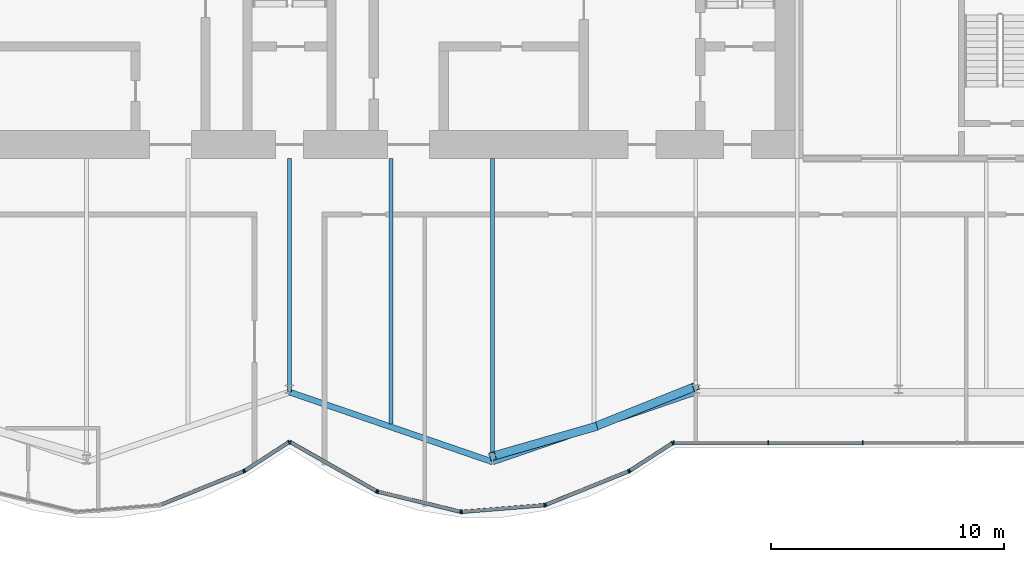
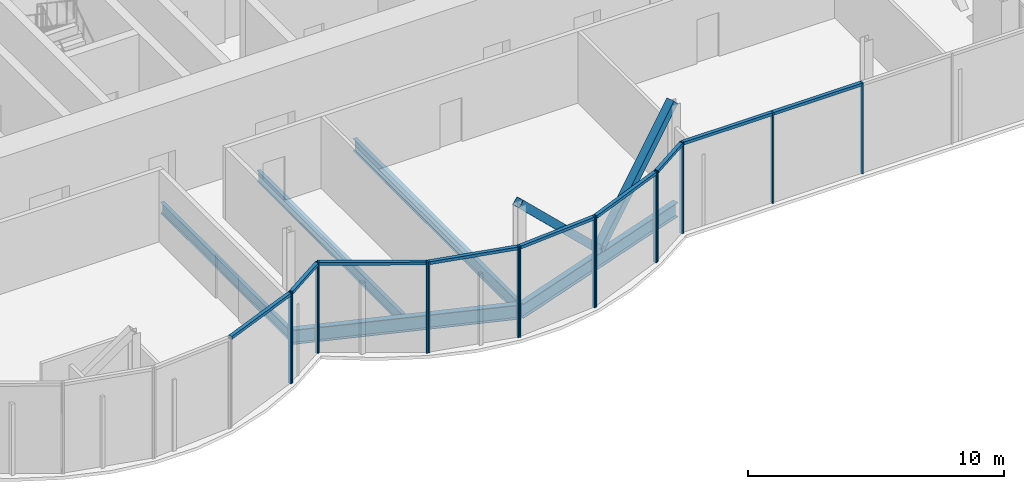
# One storey, part 6 of 16: 27 members, 5 beams, 3 elements without a shape of their own.
"""IFC4 building model written with IfcOpenShell, lengths in metres."""

from ifc_helpers import new_model, si_unit, direction, frame, origin, origin_2d, place, context, subcontext, project, spatial, rectangle, hollow_rectangle, i_section, extrude, material, material_profile, profile_set, type_object, element, aggregate, save


model = new_model("IFC4")

# Units and contexts
model_context = context("Model", 3, precision=1e-05, world=origin(), true_north=direction((0.0, 1.0)))
body_context = subcontext(model_context, "Body", "Model", "MODEL_VIEW")
ifc_project = project(units=[si_unit("LENGTHUNIT", "METRE"), si_unit("AREAUNIT", "SQUARE_METRE"), si_unit("VOLUMEUNIT", "CUBIC_METRE"), si_unit("PLANEANGLEUNIT", "RADIAN"), si_unit("MASSUNIT", "GRAM", prefix="KILO")], contexts=[model_context])

# Site, building, storey
site_placement = place(None, origin())
site = spatial("IfcSite", under=ifc_project, at=site_placement, CompositionType="ELEMENT")
building_placement = place(site_placement, origin())
building = spatial("IfcBuilding", under=site, at=building_placement, Name="Bicima Exchange Tower", CompositionType="ELEMENT")
storey_placement = place(building_placement, frame((0.0, 0.0, 329.0)))
storey = spatial("IfcBuildingStorey", under=building, at=storey_placement, Name="L74", CompositionType="ELEMENT", Elevation=329.0)

# Beams
ifc_material_1 = material(Name="Steel ASTM A992 Gr 50", Category="steel")
ifc_material_profile_1 = material_profile(ifc_material_1, i_section(OverallWidth=0.165771484375, OverallDepth=0.5283203125, WebThickness=0.009765625, FlangeThickness=0.013671875, at=origin_2d()))
ifc_profile_set_1 = profile_set([ifc_material_profile_1], Name="Steel ASTM A992 Gr 50")
beam_type_1 = type_object("IfcBeamType", Name="Floor beam W21x50", PredefinedType="JOIST", material=ifc_profile_set_1)
beam_1_placement = place(storey_placement, frame((0.0, -13.0, -0.414306640625), z_axis=(0.0, -1.0, 0.0), x_axis=(1.0, 0.0, 0.0)))
element("IfcBeam", 1, at=beam_1_placement, inside=storey, type_object=beam_type_1, Name="Floor beam", PredefinedType="JOIST", context=body_context, shape_type="SweptSolid", body=[
    extrude(i_section(OverallWidth=0.165771484375, OverallDepth=0.5283203125, WebThickness=0.009765625, FlangeThickness=0.013671875, at=origin_2d()), origin(), (0.0, 0.0, 1.0), 10.008056640625),
])
beam_2_placement = place(storey_placement, frame((4.35009765625, -13.0, -0.414306640625), z_axis=(0.0, -1.0, 0.0), x_axis=(1.0, 0.0, 0.0)))
element("IfcBeam", 2, at=beam_2_placement, inside=storey, type_object=beam_type_1, Name="Floor beam", PredefinedType="JOIST", context=body_context, shape_type="SweptSolid", body=[
    extrude(i_section(OverallWidth=0.165771484375, OverallDepth=0.5283203125, WebThickness=0.009765625, FlangeThickness=0.013671875, at=origin_2d()), origin(), (0.0, 0.0, 1.0), 11.367919921875),
])
ifc_material_profile_2 = material_profile(ifc_material_1, i_section(OverallWidth=0.177978515625, OverallDepth=0.599365234375, WebThickness=0.010009765625, FlangeThickness=0.012939453125, at=origin_2d()))
ifc_profile_set_2 = profile_set([ifc_material_profile_2], Name="Steel ASTM A992 Gr 50")
beam_type_2 = type_object("IfcBeamType", Name="Floor beam W24x55", PredefinedType="JOIST", material=ifc_profile_set_2)
beam_3_placement = place(storey_placement, frame((8.699951171875, -13.0, -0.44970703125), z_axis=(0.0, -1.0, 0.0), x_axis=(1.0, 0.0, 0.0)))
element("IfcBeam", 3, at=beam_3_placement, inside=storey, type_object=beam_type_2, Name="Floor beam", PredefinedType="JOIST", context=body_context, shape_type="SweptSolid", body=[
    extrude(i_section(OverallWidth=0.177978515625, OverallDepth=0.599365234375, WebThickness=0.010009765625, FlangeThickness=0.012939453125, at=origin_2d()), origin(), (0.0, 0.0, 1.0), 12.86328125),
])
ifc_material_profile_3 = material_profile(ifc_material_1, i_section(OverallWidth=0.256591796875, OverallDepth=0.693359375, WebThickness=0.014404296875, FlangeThickness=0.023681640625, at=origin_2d()))
ifc_profile_set_3 = profile_set([ifc_material_profile_3], Name="Steel ASTM A992 Gr 50")
beam_type_3 = type_object("IfcBeamType", Name="Front girder W27x114", PredefinedType="BEAM", material=ifc_profile_set_3)
for number, where, z_axis, x_axis, name in (
    (4, (0.0, -23.008056640625, -0.49658203125), (0.945674616091, -0.32511462668, 0.0), (0.32511462668, 0.945674616091, 0.0), "Front girder"),
    (5, (8.699951171875, -25.9990234375, -0.49658203125), (0.945674616091, 0.32511462668, 0.0), (-0.32511462668, 0.945674616091, 0.0), "Front girder"),
):
    element("IfcBeam", number, at=place(storey_placement, frame(where, z_axis=z_axis, x_axis=x_axis)), inside=storey, type_object=beam_type_3, Name=name, PredefinedType="BEAM", context=body_context, shape_type="SweptSolid", body=[
        extrude(i_section(OverallWidth=0.256591796875, OverallDepth=0.693359375, WebThickness=0.014404296875, FlangeThickness=0.023681640625, at=origin_2d()), origin(), (0.0, 0.0, 1.0), 9.19970703125),
    ])

# Curtain wall, members
ifc_material_2 = material(Name="Anodised bronze aluminium", Category="aluminium")
curtain_wall_type = type_object("IfcCurtainWallType", Name="Front glass wall", PredefinedType="NOTDEFINED", material=ifc_material_2)
curtain_wall_1_placement = place(storey_placement, origin())
curtain_wall_1 = element("IfcCurtainWall", 6, at=curtain_wall_1_placement, inside=storey, type_object=curtain_wall_type, Name="Front glass wall L74 run 6", PredefinedType="NOTDEFINED")
ifc_material_profile_4 = material_profile(ifc_material_2, rectangle(XDim=0.159912109375, YDim=0.06005859375, at=origin_2d()))
ifc_profile_set_4 = profile_set([ifc_material_profile_4], Name="Anodised bronze aluminium")
member_type_1 = type_object("IfcMemberType", Name="Front glass wall mullion 60 x 160", PredefinedType="MULLION", material=ifc_profile_set_4)
member_1_placement = place(storey_placement, frame((-1.97412109375, -26.403564453125, 0.0), z_axis=(0.0, 0.0, 1.0), x_axis=(-0.374705304, 0.92714396679, 0.0)))
member_1 = element("IfcMember", 7, at=member_1_placement, type_object=member_type_1, Name="Front glass wall mullion 2", PredefinedType="MULLION", context=body_context, shape_type="SweptSolid", body=[
    extrude(rectangle(XDim=0.159912109375, YDim=0.06005859375, at=origin_2d()), origin(), (0.0, 0.0, 1.0), 4.35009765625),
])
member_2_placement = place(storey_placement, frame((-1.921142578125, -26.376220703125, 0.0), z_axis=(0.0, 0.0, 1.0), x_axis=(-0.542897457326, 0.839798994301, 0.0)))
member_2 = element("IfcMember", 8, at=member_2_placement, type_object=member_type_1, Name="Front glass wall mullion 1", PredefinedType="MULLION", context=body_context, shape_type="SweptSolid", body=[
    extrude(rectangle(XDim=0.159912109375, YDim=0.06005859375, at=origin_2d()), origin(), (0.0, 0.0, 1.0), 4.35009765625),
])
member_3_placement = place(storey_placement, frame((-0.025146484375, -25.150390625, 0.0), z_axis=(0.0, 0.0, 1.0), x_axis=(-0.542897457326, 0.839798994301, 0.0)))
member_3 = element("IfcMember", 9, at=member_3_placement, type_object=member_type_1, Name="Front glass wall mullion 2", PredefinedType="MULLION", context=body_context, shape_type="SweptSolid", body=[
    extrude(rectangle(XDim=0.159912109375, YDim=0.06005859375, at=origin_2d()), origin(), (0.0, 0.0, 1.0), 4.35009765625),
])

curtain_wall_2_placement = place(storey_placement, origin())
curtain_wall_2 = element("IfcCurtainWall", 10, at=curtain_wall_2_placement, inside=storey, type_object=curtain_wall_type, Name="Front glass wall L74 run 11", PredefinedType="NOTDEFINED")
member_4_placement = place(storey_placement, frame((0.026123046875, -25.14892578125, 0.0), z_axis=(0.0, 0.0, 1.0), x_axis=(0.494330311331, 0.869274147378, 0.0)))
member_4 = element("IfcMember", 11, at=member_4_placement, type_object=member_type_1, Name="Front glass wall mullion 1", PredefinedType="MULLION", context=body_context, shape_type="SweptSolid", body=[
    extrude(rectangle(XDim=0.159912109375, YDim=0.06005859375, at=origin_2d()), origin(), (0.0, 0.0, 1.0), 4.35009765625),
])
member_5_placement = place(storey_placement, frame((3.7265625, -27.25341796875, 0.0), z_axis=(0.0, 0.0, 1.0), x_axis=(0.494330311331, 0.869274147378, 0.0)))
member_5 = element("IfcMember", 12, at=member_5_placement, type_object=member_type_1, Name="Front glass wall mullion 2", PredefinedType="MULLION", context=body_context, shape_type="SweptSolid", body=[
    extrude(rectangle(XDim=0.159912109375, YDim=0.06005859375, at=origin_2d()), origin(), (0.0, 0.0, 1.0), 4.35009765625),
])
member_6_placement = place(storey_placement, frame((3.781982421875, -27.275390625, 0.0), z_axis=(0.0, 0.0, 1.0), x_axis=(0.235681529503, 0.971830343553, 0.0)))
member_6 = element("IfcMember", 13, at=member_6_placement, type_object=member_type_1, Name="Front glass wall mullion 1", PredefinedType="MULLION", context=body_context, shape_type="SweptSolid", body=[
    extrude(rectangle(XDim=0.159912109375, YDim=0.06005859375, at=origin_2d()), origin(), (0.0, 0.0, 1.0), 4.35009765625),
])
member_7_placement = place(storey_placement, frame((7.322509765625, -28.1337890625, 0.0), z_axis=(0.0, 0.0, 1.0), x_axis=(0.235681529503, 0.971830343553, 0.0)))
member_7 = element("IfcMember", 14, at=member_7_placement, type_object=member_type_1, Name="Front glass wall mullion 2", PredefinedType="MULLION", context=body_context, shape_type="SweptSolid", body=[
    extrude(rectangle(XDim=0.159912109375, YDim=0.06005859375, at=origin_2d()), origin(), (0.0, 0.0, 1.0), 4.35009765625),
])
member_8_placement = place(storey_placement, frame((7.381591796875, -28.138671875, 0.0), z_axis=(0.0, 0.0, 1.0), x_axis=(-0.080588612633, 0.99674744821, 0.0)))
member_8 = element("IfcMember", 15, at=member_8_placement, type_object=member_type_1, Name="Front glass wall mullion 1", PredefinedType="MULLION", context=body_context, shape_type="SweptSolid", body=[
    extrude(rectangle(XDim=0.159912109375, YDim=0.06005859375, at=origin_2d()), origin(), (0.0, 0.0, 1.0), 4.35009765625),
])
member_9_placement = place(storey_placement, frame((10.916015625, -27.852783203125, 0.0), z_axis=(0.0, 0.0, 1.0), x_axis=(-0.080588612633, 0.99674744821, 0.0)))
member_9 = element("IfcMember", 16, at=member_9_placement, type_object=member_type_1, Name="Front glass wall mullion 2", PredefinedType="MULLION", context=body_context, shape_type="SweptSolid", body=[
    extrude(rectangle(XDim=0.159912109375, YDim=0.06005859375, at=origin_2d()), origin(), (0.0, 0.0, 1.0), 4.35009765625),
])
member_10_placement = place(storey_placement, frame((10.973876953125, -27.839111328125, 0.0), z_axis=(0.0, 0.0, 1.0), x_axis=(-0.374705304, 0.92714396679, 0.0)))
member_10 = element("IfcMember", 17, at=member_10_placement, type_object=member_type_1, Name="Front glass wall mullion 1", PredefinedType="MULLION", context=body_context, shape_type="SweptSolid", body=[
    extrude(rectangle(XDim=0.159912109375, YDim=0.06005859375, at=origin_2d()), origin(), (0.0, 0.0, 1.0), 4.35009765625),
])
member_11_placement = place(storey_placement, frame((14.52587890625, -26.403564453125, 0.0), z_axis=(0.0, 0.0, 1.0), x_axis=(-0.374705304, 0.92714396679, 0.0)))
member_11 = element("IfcMember", 18, at=member_11_placement, type_object=member_type_1, Name="Front glass wall mullion 2", PredefinedType="MULLION", context=body_context, shape_type="SweptSolid", body=[
    extrude(rectangle(XDim=0.159912109375, YDim=0.06005859375, at=origin_2d()), origin(), (0.0, 0.0, 1.0), 4.35009765625),
])
member_12_placement = place(storey_placement, frame((14.578857421875, -26.376220703125, 0.0), z_axis=(0.0, 0.0, 1.0), x_axis=(-0.542909183079, 0.839791413941, 0.0)))
member_12 = element("IfcMember", 19, at=member_12_placement, type_object=member_type_1, Name="Front glass wall mullion 1", PredefinedType="MULLION", context=body_context, shape_type="SweptSolid", body=[
    extrude(rectangle(XDim=0.159912109375, YDim=0.06005859375, at=origin_2d()), origin(), (0.0, 0.0, 1.0), 4.35009765625),
])
member_13_placement = place(storey_placement, frame((16.406982421875, -25.1943359375, 0.0), z_axis=(0.0, 0.0, 1.0), x_axis=(-0.542909183079, 0.839791413941, 0.0)))
member_13 = element("IfcMember", 20, at=member_13_placement, type_object=member_type_1, Name="Front glass wall mullion 2", PredefinedType="MULLION", context=body_context, shape_type="SweptSolid", body=[
    extrude(rectangle(XDim=0.159912109375, YDim=0.06005859375, at=origin_2d()), origin(), (0.0, 0.0, 1.0), 4.35009765625),
])

curtain_wall_3_placement = place(storey_placement, origin())
curtain_wall_3 = element("IfcCurtainWall", 21, at=curtain_wall_3_placement, inside=storey, type_object=curtain_wall_type, Name="Front glass wall L74 run 16", PredefinedType="NOTDEFINED")
member_14_placement = place(storey_placement, frame((16.462158203125, -25.177978515625, 0.0), z_axis=(0.0, 0.0, 1.0), x_axis=(0.0, 1.0, 0.0)))
member_14 = element("IfcMember", 22, at=member_14_placement, type_object=member_type_1, Name="Front glass wall mullion 1", PredefinedType="MULLION", context=body_context, shape_type="SweptSolid", body=[
    extrude(rectangle(XDim=0.159912109375, YDim=0.06005859375, at=origin_2d()), origin(), (0.0, 0.0, 1.0), 4.35009765625),
])
member_15_placement = place(storey_placement, frame((20.51171875, -25.177978515625, 0.0), z_axis=(0.0, 0.0, 1.0), x_axis=(0.0, 1.0, 0.0)))
member_15 = element("IfcMember", 23, at=member_15_placement, type_object=member_type_1, Name="Front glass wall mullion 2", PredefinedType="MULLION", context=body_context, shape_type="SweptSolid", body=[
    extrude(rectangle(XDim=0.159912109375, YDim=0.06005859375, at=origin_2d()), origin(), (0.0, 0.0, 1.0), 4.35009765625),
])
member_16_placement = place(storey_placement, frame((24.56103515625, -25.177978515625, 0.0), z_axis=(0.0, 0.0, 1.0), x_axis=(0.0, 1.0, 0.0)))
member_16 = element("IfcMember", 24, at=member_16_placement, type_object=member_type_1, Name="Front glass wall mullion 3", PredefinedType="MULLION", context=body_context, shape_type="SweptSolid", body=[
    extrude(rectangle(XDim=0.159912109375, YDim=0.06005859375, at=origin_2d()), origin(), (0.0, 0.0, 1.0), 4.35009765625),
])

# Member
ifc_material_profile_5 = material_profile(ifc_material_2, rectangle(XDim=0.159912109375, YDim=0.139892578125, at=origin_2d()))
ifc_profile_set_5 = profile_set([ifc_material_profile_5], Name="Anodised bronze aluminium")
member_type_2 = type_object("IfcMemberType", Name="Front glass wall transom 140 x 160", PredefinedType="USERDEFINED", material=ifc_profile_set_5)
member_17_placement = place(storey_placement, frame((-5.498291015625, -27.827880859375, 4.280029296875), z_axis=(0.927140215882, 0.374714584842, 0.0), x_axis=(-0.374714584842, 0.927140215882, 0.0)))
member_17 = element("IfcMember", 25, at=member_17_placement, type_object=member_type_2, Name="Front glass wall transom 1.1", ObjectType="TRANSOM", PredefinedType="USERDEFINED", context=body_context, shape_type="SweptSolid", body=[
    extrude(rectangle(XDim=0.159912109375, YDim=0.139892578125, at=origin_2d()), origin(), (0.0, 0.0, 1.0), 3.77099609375),
])

member_18_placement = place(storey_placement, frame((-1.89599609375, -26.35986328125, 4.280029296875), z_axis=(0.839811483481, 0.542878137536, 0.0), x_axis=(-0.542878137536, 0.839811483481, 0.0)))
member_18 = element("IfcMember", 26, at=member_18_placement, type_object=member_type_2, Name="Front glass wall transom 1.1", ObjectType="TRANSOM", PredefinedType="USERDEFINED", context=body_context, shape_type="SweptSolid", body=[
    extrude(rectangle(XDim=0.159912109375, YDim=0.139892578125, at=origin_2d()), origin(), (0.0, 0.0, 1.0), 2.19775390625),
])

aggregate(curtain_wall_1, [member_1, member_17, member_2, member_3, member_18])

member_19_placement = place(storey_placement, frame((0.05224609375, -25.163818359375, 4.280029296875), z_axis=(0.869265121745, -0.494346182466, 0.0), x_axis=(0.494346182466, 0.869265121745, 0.0)))
member_19 = element("IfcMember", 27, at=member_19_placement, type_object=member_type_2, Name="Front glass wall transom 1.1", ObjectType="TRANSOM", PredefinedType="USERDEFINED", context=body_context, shape_type="SweptSolid", body=[
    extrude(rectangle(XDim=0.159912109375, YDim=0.139892578125, at=origin_2d()), origin(), (0.0, 0.0, 1.0), 4.19677734375),
])

member_20_placement = place(storey_placement, frame((3.81103515625, -27.2822265625, 4.280029296875), z_axis=(0.971817951661, -0.235732621477, 0.0), x_axis=(0.235732621477, 0.971817951661, 0.0)))
member_20 = element("IfcMember", 28, at=member_20_placement, type_object=member_type_2, Name="Front glass wall transom 1.1", ObjectType="TRANSOM", PredefinedType="USERDEFINED", context=body_context, shape_type="SweptSolid", body=[
    extrude(rectangle(XDim=0.159912109375, YDim=0.139892578125, at=origin_2d()), origin(), (0.0, 0.0, 1.0), 3.58349609375),
])

member_21_placement = place(storey_placement, frame((7.41162109375, -28.13623046875, 4.280029296875), z_axis=(0.9967456465, 0.080610893699, 0.0), x_axis=(-0.080610893699, 0.9967456465, 0.0)))
member_21 = element("IfcMember", 29, at=member_21_placement, type_object=member_type_2, Name="Front glass wall transom 1.1", ObjectType="TRANSOM", PredefinedType="USERDEFINED", context=body_context, shape_type="SweptSolid", body=[
    extrude(rectangle(XDim=0.159912109375, YDim=0.139892578125, at=origin_2d()), origin(), (0.0, 0.0, 1.0), 3.48583984375),
])

member_22_placement = place(storey_placement, frame((11.001708984375, -27.827880859375, 4.280029296875), z_axis=(0.927140215882, 0.374714584842, 0.0), x_axis=(-0.374714584842, 0.927140215882, 0.0)))
member_22 = element("IfcMember", 30, at=member_22_placement, type_object=member_type_2, Name="Front glass wall transom 1.1", ObjectType="TRANSOM", PredefinedType="USERDEFINED", context=body_context, shape_type="SweptSolid", body=[
    extrude(rectangle(XDim=0.159912109375, YDim=0.139892578125, at=origin_2d()), origin(), (0.0, 0.0, 1.0), 3.77099609375),
])

member_23_placement = place(storey_placement, frame((14.60400390625, -26.35986328125, 4.280029296875), z_axis=(0.839792890287, 0.542906899407, 0.0), x_axis=(-0.542906899407, 0.839792890287, 0.0)))
member_23 = element("IfcMember", 31, at=member_23_placement, type_object=member_type_2, Name="Front glass wall transom 1.1", ObjectType="TRANSOM", PredefinedType="USERDEFINED", context=body_context, shape_type="SweptSolid", body=[
    extrude(rectangle(XDim=0.159912109375, YDim=0.139892578125, at=origin_2d()), origin(), (0.0, 0.0, 1.0), 2.11669921875),
])

aggregate(curtain_wall_2, [member_4, member_5, member_19, member_6, member_7, member_20, member_8, member_9, member_21, member_10, member_11, member_22, member_12, member_13, member_23])

member_24_placement = place(storey_placement, frame((16.4921875, -25.177978515625, 4.280029296875), z_axis=(1.0, 0.0, 0.0), x_axis=(0.0, 1.0, 0.0)))
member_24 = element("IfcMember", 32, at=member_24_placement, type_object=member_type_2, Name="Front glass wall transom 1.1", ObjectType="TRANSOM", PredefinedType="USERDEFINED", context=body_context, shape_type="SweptSolid", body=[
    extrude(rectangle(XDim=0.159912109375, YDim=0.139892578125, at=origin_2d()), origin(), (0.0, 0.0, 1.0), 3.989501953125),
])

member_25_placement = place(storey_placement, frame((20.54150390625, -25.177978515625, 4.280029296875), z_axis=(1.0, 0.0, 0.0), x_axis=(0.0, 1.0, 0.0)))
member_25 = element("IfcMember", 33, at=member_25_placement, type_object=member_type_2, Name="Front glass wall transom 2.1", ObjectType="TRANSOM", PredefinedType="USERDEFINED", context=body_context, shape_type="SweptSolid", body=[
    extrude(rectangle(XDim=0.159912109375, YDim=0.139892578125, at=origin_2d()), origin(), (0.0, 0.0, 1.0), 3.989501953125),
])

aggregate(curtain_wall_3, [member_14, member_15, member_16, member_24, member_25])

# Members
ifc_material_3 = material(Name="Steel ASTM A572 Gr 50", Category="steel")
ifc_material_profile_6 = material_profile(ifc_material_3, hollow_rectangle(XDim=0.355712890625, YDim=0.355712890625, WallThickness=0.01171875, at=origin_2d()))
ifc_profile_set_6 = profile_set([ifc_material_profile_6], Name="Steel ASTM A572 Gr 50")
member_type_3 = type_object("IfcMemberType", Name="Mega brace HSS14x14x1/2", PredefinedType="BRACE", material=ifc_profile_set_6)
member_26_placement = place(storey_placement, frame((13.050048828125, -24.50341796875, 0.0), z_axis=(0.669627633412, 0.267783402821, 0.692741569234), x_axis=(-0.371309808925, 0.928509033772, 0.0)))
element("IfcMember", 34, at=member_26_placement, inside=storey, type_object=member_type_3, Name="Mega brace front", PredefinedType="BRACE", context=body_context, shape_type="SweptSolid", body=[
    extrude(hollow_rectangle(XDim=0.355712890625, YDim=0.355712890625, WallThickness=0.01171875, at=origin_2d()), origin(), (0.0, 0.0, 1.0), 6.495849609375),
])
member_27_placement = place(storey_placement, frame((13.050048828125, -24.50341796875, 0.0), z_axis=(-0.681534473108, -0.196106591291, 0.705019834343), x_axis=(0.276522876258, -0.961007335511, 0.0)))
element("IfcMember", 35, at=member_27_placement, inside=storey, type_object=member_type_3, Name="Mega brace front", PredefinedType="BRACE", context=body_context, shape_type="SweptSolid", body=[
    extrude(hollow_rectangle(XDim=0.355712890625, YDim=0.355712890625, WallThickness=0.01171875, at=origin_2d()), origin(), (0.0, 0.0, 1.0), 6.3828125),
])

save(model, "model.ifc")
